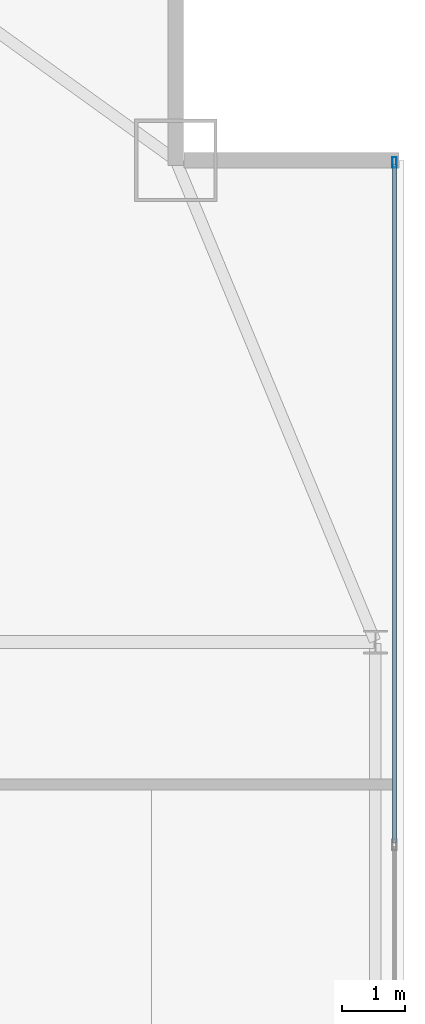
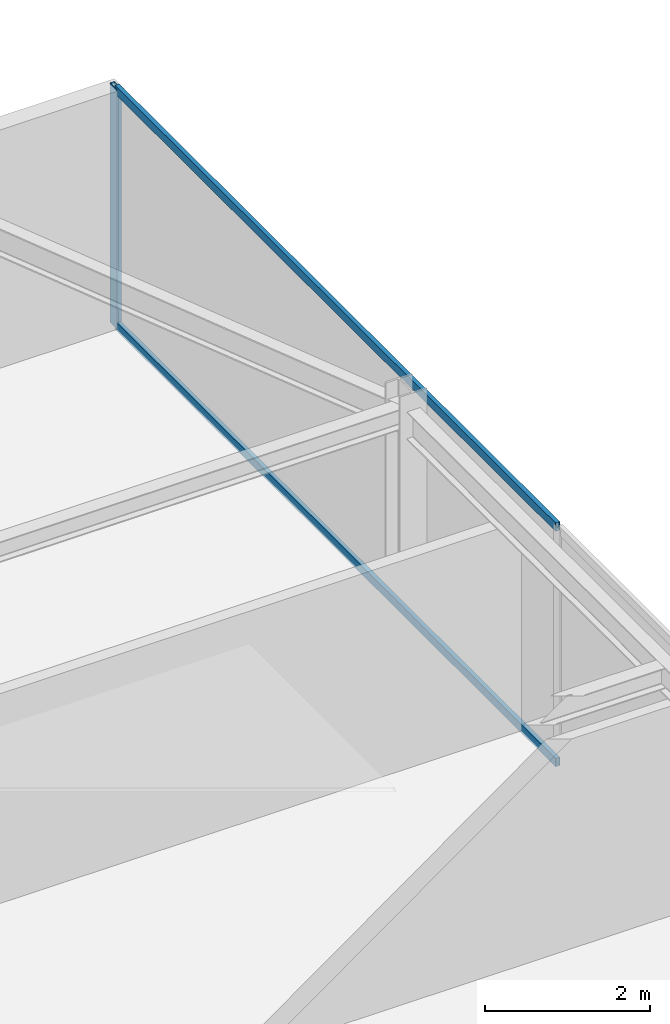
# One storey, part 22 of 31: 3 members, 1 element without a shape of its own.
"""IFC4 building model written with IfcOpenShell, lengths in metres."""

import ifcopenshell
import ifcopenshell.guid

model = None  # the IFC model being written
_history = None  # IfcOwnerHistory: only IFC2X3 demands one
_inside = {}  # id of a spatial element -> (the spatial element, [elements in it])
_under = {}  # id of a project, library or spatial element -> (it, [spatial elements below it])
_declared = {}  # id of a project -> (the project, [libraries it declares])
_typed = {}  # id of a type object -> (the type object, [elements of that type])
_made_of = {}  # id of a material, layer set ... -> (it, [elements and type objects made of it])


def new_model(schema):
    """Start an empty IFC model of exactly this schema.

    Asked for "IFC4X3", IfcOpenShell would pick the latest addendum, in which some entities
    have other attributes; the version numbers below select the first issue.
    IFC2X3 requires an IfcOwnerHistory on every rooted entity: one is made here for all.
    """
    global model, _history
    if schema == "IFC4X3":
        model = ifcopenshell.file(schema_version=(4, 3, 0, 0))
    else:
        model = ifcopenshell.file(schema=schema)
    _inside.clear()
    _under.clear()
    _declared.clear()
    _typed.clear()
    _made_of.clear()
    _history = None
    if model.schema == "IFC2X3":
        org = make("IfcOrganization", Name="unknown")
        user = make(
            "IfcPersonAndOrganization",
            ThePerson=make("IfcPerson", FamilyName="unknown"),
            TheOrganization=org,
        )
        app = make(
            "IfcApplication",
            ApplicationDeveloper=org,
            Version="unknown",
            ApplicationFullName="unknown",
            ApplicationIdentifier="unknown",
        )
        _history = make(
            "IfcOwnerHistory",
            OwningUser=user,
            OwningApplication=app,
            ChangeAction="ADDED",
            CreationDate=0,
        )
    return model


def make(cls, **values):
    """One entity of the class cls with the attributes given. An attribute that is None is left unset."""
    return model.create_entity(
        cls, **{name: value for name, value in values.items() if value is not None}
    )


def rooted(cls, **values):
    """An entity with a GlobalId (a new one), such as an element, a storey or a relation."""
    return make(cls, GlobalId=ifcopenshell.guid.new(), OwnerHistory=_history, **values)


def si_unit(unit_type, name, prefix=None):
    """IfcSIUnit, for example si_unit("LENGTHUNIT", "METRE", prefix="MILLI")."""
    return make("IfcSIUnit", UnitType=unit_type, Prefix=prefix, Name=name)


def assignment(units):
    """IfcUnitAssignment: the units of a project."""
    return None if units is None else make("IfcUnitAssignment", Units=units)


def point(xyz):
    """IfcCartesianPoint."""
    return None if xyz is None else make("IfcCartesianPoint", Coordinates=xyz)


def direction(xyz):
    """IfcDirection."""
    return None if xyz is None else make("IfcDirection", DirectionRatios=xyz)


def frame(location, z_axis=None, x_axis=None):
    """IfcAxis2Placement3D, a coordinate frame: its origin and axes. An axis left out is left unset."""
    return make(
        "IfcAxis2Placement3D",
        Location=point(location),
        Axis=direction(z_axis),
        RefDirection=direction(x_axis),
    )


def frame_2d(location, x_axis=None):
    """IfcAxis2Placement2D, a coordinate frame in the plane: its origin and x axis."""
    return make(
        "IfcAxis2Placement2D", Location=point(location), RefDirection=direction(x_axis)
    )


def origin():
    """The frame at (0, 0, 0) with its axes left unset."""
    return frame((0.0, 0.0, 0.0))


def origin_2d():
    """The frame at (0, 0) in the plane with its x axis left unset."""
    return frame_2d((0.0, 0.0))


def place(relative_to, where):
    """IfcLocalPlacement: puts the frame where relative to a parent placement (None: the world)."""
    return make(
        "IfcLocalPlacement", PlacementRelTo=relative_to, RelativePlacement=where
    )


def context(
    kind, dimensions, precision=None, world=None, true_north=None, identifier=None
):
    """IfcGeometricRepresentationContext, for example the 3D "Model" context."""
    return make(
        "IfcGeometricRepresentationContext",
        ContextIdentifier=identifier,
        ContextType=kind,
        CoordinateSpaceDimension=dimensions,
        Precision=precision,
        WorldCoordinateSystem=world,
        TrueNorth=true_north,
    )


def subcontext(parent, identifier, kind, view, scale=None):
    """IfcGeometricRepresentationSubContext, for example "Body" below "Model"."""
    return make(
        "IfcGeometricRepresentationSubContext",
        ContextIdentifier=identifier,
        ContextType=kind,
        ParentContext=parent,
        TargetScale=scale,
        TargetView=view,
    )


def project(units=None, contexts=None):
    """IfcProject with its units and contexts."""
    return rooted(
        "IfcProject",
        Name="project",
        RepresentationContexts=contexts,
        UnitsInContext=assignment(units),
    )


def spatial(cls, under=None, at=None, **own):
    """A site, building, storey or space (cls), placed at a placement, below another one or the project."""
    s = rooted(cls, ObjectPlacement=at, **own)
    if under is not None:
        _under.setdefault(under.id(), (under, []))[1].append(s)
    return s


def profile(cls, at=None, kind="AREA", **sizes):
    """A parametric profile (cls). Its sizes go by their IFC names, for example OverallWidth=200.0."""
    return make(cls, ProfileType=kind, Position=at, **sizes)


def hollow_rectangle(**sizes):
    """IfcRectangleHollowProfileDef."""
    return profile("IfcRectangleHollowProfileDef", **sizes)


def extrude(swept, where, along, depth):
    """IfcExtrudedAreaSolid: the profile swept, set in the frame where, extruded along a direction by depth."""
    return make(
        "IfcExtrudedAreaSolid",
        SweptArea=swept,
        Position=where,
        ExtrudedDirection=direction(along),
        Depth=depth,
    )


def shape(context_of_items, identifier, shape_type, items):
    """IfcShapeRepresentation: the items that make up one representation, for example the "Body"."""
    return make(
        "IfcShapeRepresentation",
        ContextOfItems=context_of_items,
        RepresentationIdentifier=identifier,
        RepresentationType=shape_type,
        Items=items,
    )


def source(mapping_origin, context_of_items, identifier, shape_type, items):
    """IfcRepresentationMap: a shape defined once, which mapped items show again and again."""
    return make(
        "IfcRepresentationMap",
        MappingOrigin=mapping_origin,
        MappedRepresentation=shape(context_of_items, identifier, shape_type, items),
    )


def transform(
    local_origin,
    x_axis=None,
    y_axis=None,
    z_axis=None,
    scale=None,
    scale2=None,
    scale3=None,
    uniform=True,
):
    """IfcCartesianTransformationOperator3D, or its non-uniform kind. x_axis, y_axis, z_axis: its Axis1, 2, 3."""
    if uniform:
        return make(
            "IfcCartesianTransformationOperator3D",
            Axis1=direction(x_axis),
            Axis2=direction(y_axis),
            LocalOrigin=point(local_origin),
            Scale=scale,
            Axis3=direction(z_axis),
        )
    return make(
        "IfcCartesianTransformationOperator3DnonUniform",
        Axis1=direction(x_axis),
        Axis2=direction(y_axis),
        LocalOrigin=point(local_origin),
        Scale=scale,
        Axis3=direction(z_axis),
        Scale2=scale2,
        Scale3=scale3,
    )


def mapped(mapping_source, mapping_target):
    """IfcMappedItem: shows the shape of a source again, moved by a transform."""
    return make(
        "IfcMappedItem", MappingSource=mapping_source, MappingTarget=mapping_target
    )


def material(Name=None, Category=None):
    """IfcMaterial."""
    return make("IfcMaterial", Name=Name, Category=Category)


def layer(
    of_material, thickness, ventilated=None, Name=None, Category=None, Priority=None
):
    """IfcMaterialLayer: one layer of a wall or slab, of a material (None: an air gap)."""
    return make(
        "IfcMaterialLayer",
        Material=of_material,
        LayerThickness=thickness,
        IsVentilated=ventilated,
        Name=Name,
        Category=Category,
        Priority=Priority,
    )


def layer_set(layers, Name=None):
    """IfcMaterialLayerSet."""
    return make("IfcMaterialLayerSet", MaterialLayers=layers, LayerSetName=Name)


def material_profile(
    of_material, cross_section, Name=None, Category=None, Priority=None
):
    """IfcMaterialProfile: a cross section and its material."""
    return make(
        "IfcMaterialProfile",
        Name=Name,
        Material=of_material,
        Profile=cross_section,
        Priority=Priority,
        Category=Category,
    )


def profile_set(profiles, Name=None, composite=None):
    """IfcMaterialProfileSet."""
    return make(
        "IfcMaterialProfileSet",
        Name=Name,
        MaterialProfiles=profiles,
        CompositeProfile=composite,
    )


def made_of(thing, what):
    """Note that an element or type object is made of a material, layer set ...; save() writes the relation."""
    if what is not None:
        _made_of.setdefault(what.id(), (what, []))[1].append(thing)
    return thing


def type_object(cls, material=None, **own):
    """A type object (cls), such as IfcWallType, which elements share."""
    return made_of(rooted(cls, **own), material)


def type_shapes(of_type, sources):
    """Give a type object the sources (RepresentationMaps) that its elements show as mapped items."""
    of_type.RepresentationMaps = sources


def element(
    cls,
    number,
    at=None,
    inside=None,
    cuts=None,
    type_object=None,
    material=None,
    context=None,
    identifier="Body",
    shape_type=None,
    held_by="IfcProductDefinitionShape",
    body=None,
    shapes=None,
    **own,
):
    """One element of the class cls, such as IfcWall. Its Tag is "e" and its number.

    at: its placement. inside: the storey or other place that contains it. cuts: it is an
    opening in that element (IfcRelVoidsElement). A single representation is given by context,
    identifier, shape_type and body (its items); several are given by shapes. held_by: the class
    of the entity that holds the representations. save() writes the other relations.
    """
    e = rooted(cls, Tag="e%d" % number, ObjectPlacement=at, **own)
    if body is not None:
        shapes = [shape(context, identifier, shape_type, body)]
    if shapes is not None:
        e.Representation = make(held_by, Representations=shapes)
    if inside is not None:
        _inside.setdefault(inside.id(), (inside, []))[1].append(e)
    if cuts is not None:
        rooted(
            "IfcRelVoidsElement", RelatingBuildingElement=cuts, RelatedOpeningElement=e
        )
    if type_object is not None:
        _typed.setdefault(type_object.id(), (type_object, []))[1].append(e)
    return made_of(e, material)


def aggregate(whole, parts):
    """IfcRelAggregates: a whole, such as a stair, and the parts it consists of."""
    return rooted("IfcRelAggregates", RelatingObject=whole, RelatedObjects=parts)


def save(model, path):
    """Write the relations noted so far, then the file.

    IfcRelAggregates (storeys below a building ...), IfcRelContainedInSpatialStructure (elements
    in a storey), IfcRelDefinesByType, IfcRelAssociatesMaterial and IfcRelDeclares: one each for
    every whole, place, type object, material and project.
    """
    for whole, parts in _under.values():
        aggregate(whole, parts)
    for where, things in _inside.values():
        rooted(
            "IfcRelContainedInSpatialStructure",
            RelatedElements=things,
            RelatingStructure=where,
        )
    for kind, things in _typed.values():
        rooted("IfcRelDefinesByType", RelatedObjects=things, RelatingType=kind)
    for what, things in _made_of.values():
        rooted("IfcRelAssociatesMaterial", RelatedObjects=things, RelatingMaterial=what)
    for by, libraries in _declared.values():
        rooted("IfcRelDeclares", RelatingContext=by, RelatedDefinitions=libraries)
    model.write(path)


model = new_model("IFC4")

# Units and contexts
model_context = context("Model", 3, precision=1e-05, world=origin(), true_north=direction((0.0, 1.0)))
body_context = subcontext(model_context, "Body", "Model", "MODEL_VIEW")
ifc_project = project(units=[si_unit("LENGTHUNIT", "METRE"), si_unit("AREAUNIT", "SQUARE_METRE"), si_unit("VOLUMEUNIT", "CUBIC_METRE"), si_unit("PLANEANGLEUNIT", "RADIAN"), si_unit("MASSUNIT", "GRAM", prefix="KILO")], contexts=[model_context])

# Site, building, storey
site_placement = place(None, origin())
site = spatial("IfcSite", under=ifc_project, at=site_placement, CompositionType="ELEMENT")
building_placement = place(site_placement, origin())
building = spatial("IfcBuilding", under=site, at=building_placement, Name="Varnel Quay Broadcast Tower", CompositionType="ELEMENT")
storey_placement = place(building_placement, frame((0.0, 0.0, 183.800048828125)))
storey = spatial("IfcBuildingStorey", under=building, at=storey_placement, Name="L45", CompositionType="ELEMENT", Elevation=183.800048828125)

# Curtain wall, members
ifc_material = material(Name="Anodised Bronze Aluminium 6063-T6", Category="aluminium")
ifc_layer = layer(ifc_material, 0.18994140625, Name="Anodised Bronze Aluminium 6063-T6")
ifc_layer_set = layer_set([ifc_layer], Name="Anodised Bronze Aluminium 6063-T6")
curtain_wall_type = type_object("IfcCurtainWallType", Name="CW_UpperTower", PredefinedType="NOTDEFINED", material=ifc_layer_set)
curtain_wall_placement = place(storey_placement, origin())
curtain_wall = element("IfcCurtainWall", 1, at=curtain_wall_placement, inside=storey, type_object=curtain_wall_type, Name="L45 East Unitised Curtain Wall", PredefinedType="NOTDEFINED")
ifc_material_profile_1 = material_profile(ifc_material, hollow_rectangle(XDim=0.06494140625, YDim=0.1650390625, WallThickness=0.00341796875, at=origin_2d()), Name="ALU65X165X3.5")
ifc_profile_set_1 = profile_set([ifc_material_profile_1], Name="Anodised Bronze Aluminium 6063-T6")
member_type_1 = type_object("IfcMemberType", Name="Mull_CWS-03", PredefinedType="MULLION", material=ifc_profile_set_1)
shared_shape_1 = source(origin(), body_context, "Body", "SweptSolid", [
    extrude(hollow_rectangle(XDim=0.06494140625, YDim=0.1650390625, WallThickness=0.00341796875, at=origin_2d()), origin(), (0.0, 0.0, 1.0), 3.550048828125),
])
type_shapes(member_type_1, [shared_shape_1])
member_1_placement = place(storey_placement, frame((60.85009765625, 43.16748046875, 0.0), z_axis=(0.0, 0.0, 1.0), x_axis=(-1.0, 0.0, 0.0)))
member_1 = element("IfcMember", 2, at=member_1_placement, type_object=member_type_1, Name="CWS-03 mullion 4", PredefinedType="MULLION", context=body_context, shape_type="MappedRepresentation", body=[
    mapped(shared_shape_1, transform((0.0, 0.0, 0.0), x_axis=(1.0, 0.0, 0.0), y_axis=(0.0, 1.0, 0.0), z_axis=(0.0, 0.0, 1.0), scale=1.0)),
])
ifc_material_profile_2 = material_profile(ifc_material, hollow_rectangle(XDim=0.06005859375, YDim=0.125, WallThickness=0.0029296875, at=origin_2d()), Name="ALU60X125X3")
ifc_profile_set_2 = profile_set([ifc_material_profile_2], Name="Anodised Bronze Aluminium 6063-T6")
member_type_2 = type_object("IfcMemberType", Name="Tran_CWS-03", PredefinedType="USERDEFINED", material=ifc_profile_set_2)
shared_shape_2 = source(origin(), body_context, "Body", "SweptSolid", [
    extrude(hollow_rectangle(XDim=0.06005859375, YDim=0.125, WallThickness=0.0029296875, at=origin_2d()), origin(), (0.0, 0.0, 1.0), 10.702392578125),
])
type_shapes(member_type_2, [shared_shape_2])
member_2_placement = place(storey_placement, frame((60.85009765625, 32.4326171875, 0.030029296875), z_axis=(0.0, 1.0, 0.0), x_axis=(-1.0, 0.0, 0.0)))
member_2 = element("IfcMember", 3, at=member_2_placement, type_object=member_type_2, Name="CWS-03 transom 3.1", ObjectType="TRANSOM", PredefinedType="USERDEFINED", context=body_context, shape_type="MappedRepresentation", body=[
    mapped(shared_shape_2, transform((0.0, 0.0, 0.0), x_axis=(1.0, 0.0, 0.0), y_axis=(0.0, 1.0, 0.0), z_axis=(0.0, 0.0, 1.0), scale=1.0)),
])
member_3_placement = place(storey_placement, frame((60.85009765625, 32.4326171875, 3.52001953125), z_axis=(0.0, 1.0, 0.0), x_axis=(-1.0, 0.0, 0.0)))
member_3 = element("IfcMember", 4, at=member_3_placement, type_object=member_type_2, Name="CWS-03 transom 3.2", ObjectType="TRANSOM", PredefinedType="USERDEFINED", context=body_context, shape_type="MappedRepresentation", body=[
    mapped(shared_shape_2, transform((0.0, 0.0, 0.0), x_axis=(1.0, 0.0, 0.0), y_axis=(0.0, 1.0, 0.0), z_axis=(0.0, 0.0, 1.0), scale=1.0)),
])
aggregate(curtain_wall, [member_1, member_2, member_3])

save(model, "model.ifc")
